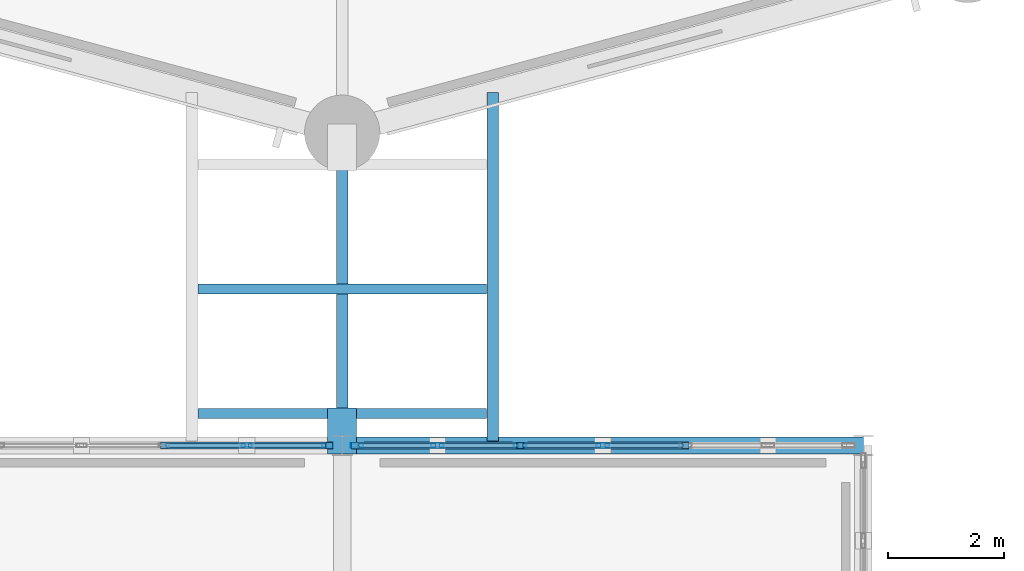
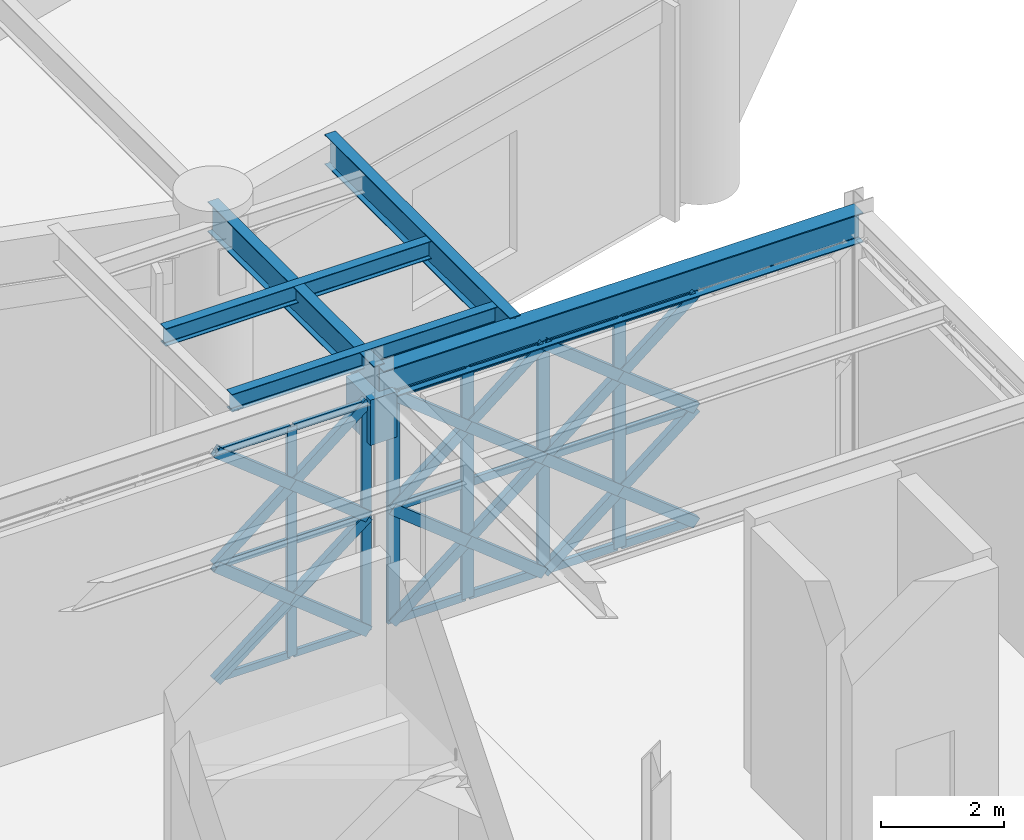
# One storey, part 40 of 166: 42 members, 6 beams, 2 elements without a shape of their own.
"""IFC4 building model written with IfcOpenShell, lengths in metres."""

from ifc_helpers import new_model, si_unit, direction, frame, origin, origin_2d, place, context, subcontext, project, spatial, rectangle, hollow_rectangle, i_section, extrude, material, material_profile, profile_set, type_object, element, aggregate, save


model = new_model("IFC4")

# Units and contexts
model_context = context("Model", 3, precision=1e-05, world=origin(), true_north=direction((0.0, 1.0)))
body_context = subcontext(model_context, "Body", "Model", "MODEL_VIEW")
ifc_project = project(units=[si_unit("LENGTHUNIT", "METRE"), si_unit("AREAUNIT", "SQUARE_METRE"), si_unit("VOLUMEUNIT", "CUBIC_METRE"), si_unit("PLANEANGLEUNIT", "RADIAN"), si_unit("MASSUNIT", "GRAM", prefix="KILO")], contexts=[model_context])

# Site, building, storey
site_placement = place(None, origin())
site = spatial("IfcSite", under=ifc_project, at=site_placement, CompositionType="ELEMENT")
building_placement = place(site_placement, origin())
building = spatial("IfcBuilding", under=site, at=building_placement, Name="Haizhuo Lancet Aquarium", CompositionType="ELEMENT")
storey_placement = place(building_placement, frame((0.0, 0.0, 5.39990234375)))
storey = spatial("IfcBuildingStorey", under=building, at=storey_placement, Name="L01", CompositionType="ELEMENT", Elevation=5.39990234375)

# Beams
ifc_material_1 = material(Name="Concrete C40/50", Category="concrete")
ifc_material_profile_1 = material_profile(ifc_material_1, rectangle(XDim=0.5, YDim=0.89990234375, at=origin_2d()), Name="RC-BM 500x900")
ifc_profile_set_1 = profile_set([ifc_material_profile_1], Name="Concrete C40/50")
beam_type_1 = type_object("IfcBeamType", Name="BM-RC-500x900", PredefinedType="BEAM", material=ifc_profile_set_1)
beam_1_placement = place(storey_placement, frame((0.0, -27.14990234375, 4.205078125), z_axis=(0.0, 1.0, 0.0), x_axis=(-1.0, 0.0, 0.0)))
element("IfcBeam", 1, at=beam_1_placement, inside=storey, type_object=beam_type_1, Name="Reinforced concrete bridge bearing corbel SB-04 1S", PredefinedType="BEAM", context=body_context, shape_type="SweptSolid", body=[
    extrude(rectangle(XDim=0.5, YDim=0.89990234375, at=origin_2d()), origin(), (0.0, 0.0, 1.0), 0.7998046875),
])
ifc_material_2 = material(Name="Steel S355", Category="steel")
ifc_material_profile_2 = material_profile(ifc_material_2, i_section(OverallWidth=0.300048828125, OverallDepth=0.587890625, WebThickness=0.011962890625, FlangeThickness=0.02001953125, FilletRadius=0.02587890625, at=origin_2d()), Name="HM 588x300x12x20")
ifc_profile_set_2 = profile_set([ifc_material_profile_2], Name="Steel S355")
beam_type_2 = type_object("IfcBeamType", Name="BM-ST-HM588", PredefinedType="BEAM", material=ifc_profile_set_2)
beam_2_placement = place(storey_placement, frame((0.0, -27.0, 4.84619140625), z_axis=(1.0, 0.0, 0.0), x_axis=(0.0, 1.0, 0.0)))
element("IfcBeam", 2, at=beam_2_placement, inside=storey, type_object=beam_type_2, Name="L01 V4 primary girder BM-L01-V4-019", PredefinedType="BEAM", context=body_context, shape_type="SweptSolid", body=[
    extrude(i_section(OverallWidth=0.300048828125, OverallDepth=0.587890625, WebThickness=0.011962890625, FlangeThickness=0.02001953125, FilletRadius=0.02587890625, at=origin_2d()), origin(), (0.0, 0.0, 1.0), 9.0),
])
ifc_material_profile_3 = material_profile(ifc_material_2, i_section(OverallWidth=0.199951171875, OverallDepth=0.60009765625, WebThickness=0.010986328125, FlangeThickness=0.01708984375, FilletRadius=0.02197265625, at=origin_2d()), Name="HN 600x200x11x17")
ifc_profile_set_3 = profile_set([ifc_material_profile_3], Name="Steel S355")
beam_type_3 = type_object("IfcBeamType", Name="BM-ST-HN600", PredefinedType="BEAM", material=ifc_profile_set_3)
beam_3_placement = place(storey_placement, frame((0.0, -27.0, 4.880126953125), z_axis=(0.0, 1.0, 0.0), x_axis=(-1.0, 0.0, 0.0)))
element("IfcBeam", 3, at=beam_3_placement, inside=storey, type_object=beam_type_3, Name="Glazed bridge longitudinal girder SB-04 1", PredefinedType="BEAM", context=body_context, shape_type="SweptSolid", body=[
    extrude(i_section(OverallWidth=0.199951171875, OverallDepth=0.60009765625, WebThickness=0.010986328125, FlangeThickness=0.01708984375, FilletRadius=0.02197265625, at=origin_2d()), origin(), (0.0, 0.0, 1.0), 5.39990234375),
])
beam_4_placement = place(storey_placement, frame((2.60009765625, -26.919921875, 4.880126953125), z_axis=(0.0, 1.0, 0.0), x_axis=(-1.0, 0.0, 0.0)))
element("IfcBeam", 4, at=beam_4_placement, inside=storey, type_object=beam_type_3, Name="Glazed bridge edge girder SB-04 E", PredefinedType="BEAM", context=body_context, shape_type="SweptSolid", body=[
    extrude(i_section(OverallWidth=0.199951171875, OverallDepth=0.60009765625, WebThickness=0.010986328125, FlangeThickness=0.01708984375, FilletRadius=0.02197265625, at=origin_2d()), origin(), (0.0, 0.0, 1.0), 6.016845703125),
])

# Curtain wall, members
ifc_material_3 = material(Name="Aluminium 6063-T6", Category="aluminium")
curtain_wall_type = type_object("IfcCurtainWallType", Name="CWO-8560x4550", PredefinedType="NOTDEFINED", material=ifc_material_3)
curtain_wall_1_placement = place(storey_placement, origin())
curtain_wall_1 = element("IfcCurtainWall", 5, at=curtain_wall_1_placement, inside=storey, type_object=curtain_wall_type, Name="L01 curtain wall CW-V4-L01-091", PredefinedType="NOTDEFINED")
ifc_material_profile_4 = material_profile(ifc_material_3, hollow_rectangle(XDim=0.06494140625, YDim=0.179931640625, WallThickness=0.00390625, at=origin_2d()), Name="ALU-M 65x180x4")
ifc_profile_set_4 = profile_set([ifc_material_profile_4], Name="Aluminium 6063-T6")
member_type_1 = type_object("IfcMemberType", Name="CW-MUL-1", PredefinedType="MULLION", material=ifc_profile_set_4)
member_1_placement = place(storey_placement, frame((-1.64697265625, -27.0, 0.0), z_axis=(0.0, 0.0, 1.0), x_axis=(0.0, 1.0, 0.0)))
member_1 = element("IfcMember", 6, at=member_1_placement, type_object=member_type_1, Name="CWO-85x45 mullion 6", PredefinedType="MULLION", context=body_context, shape_type="SweptSolid", body=[
    extrude(hollow_rectangle(XDim=0.06494140625, YDim=0.179931640625, WallThickness=0.00390625, at=origin_2d()), origin(), (0.0, 0.0, 1.0), 4.552001953125),
])
member_2_placement = place(storey_placement, frame((-0.2529296875, -27.0, 0.0), z_axis=(0.0, 0.0, 1.0), x_axis=(0.0, 1.0, 0.0)))
member_2 = element("IfcMember", 7, at=member_2_placement, type_object=member_type_1, Name="CWO-85x45 mullion 7", PredefinedType="MULLION", context=body_context, shape_type="SweptSolid", body=[
    extrude(hollow_rectangle(XDim=0.06494140625, YDim=0.179931640625, WallThickness=0.00390625, at=origin_2d()), origin(), (0.0, 0.0, 1.0), 4.552001953125),
])

curtain_wall_2_placement = place(storey_placement, origin())
curtain_wall_2 = element("IfcCurtainWall", 8, at=curtain_wall_2_placement, inside=storey, type_object=curtain_wall_type, Name="L01 curtain wall CW-V4-L01-092", PredefinedType="NOTDEFINED")
ifc_material_profile_5 = material_profile(ifc_material_3, hollow_rectangle(XDim=0.074951171875, YDim=0.219970703125, WallThickness=0.0048828125, at=origin_2d()), Name="ALU-M 75x220x5")
ifc_profile_set_5 = profile_set([ifc_material_profile_5], Name="Aluminium 6063-T6")
member_type_2 = type_object("IfcMemberType", Name="CW-MUL-2", PredefinedType="MULLION", material=ifc_profile_set_5)
member_3_placement = place(storey_placement, frame((0.258056640625, -27.0, 0.0), z_axis=(0.0, 0.0, 1.0), x_axis=(0.0, 1.0, 0.0)))
member_3 = element("IfcMember", 9, at=member_3_placement, type_object=member_type_2, Name="CWO-85x45 mullion 1", PredefinedType="MULLION", context=body_context, shape_type="SweptSolid", body=[
    extrude(hollow_rectangle(XDim=0.074951171875, YDim=0.219970703125, WallThickness=0.0048828125, at=origin_2d()), origin(), (0.0, 0.0, 1.0), 4.552001953125),
])
member_4_placement = place(storey_placement, frame((1.64697265625, -27.0, 0.0), z_axis=(0.0, 0.0, 1.0), x_axis=(0.0, 1.0, 0.0)))
member_4 = element("IfcMember", 10, at=member_4_placement, type_object=member_type_2, Name="CWO-85x45 mullion 2", PredefinedType="MULLION", context=body_context, shape_type="SweptSolid", body=[
    extrude(hollow_rectangle(XDim=0.074951171875, YDim=0.219970703125, WallThickness=0.0048828125, at=origin_2d()), origin(), (0.0, 0.0, 1.0), 4.552001953125),
])
member_5_placement = place(storey_placement, frame((3.072998046875, -27.0, 0.0), z_axis=(0.0, 0.0, 1.0), x_axis=(0.0, 1.0, 0.0)))
member_5 = element("IfcMember", 11, at=member_5_placement, type_object=member_type_2, Name="CWO-85x45 mullion 3", PredefinedType="MULLION", context=body_context, shape_type="SweptSolid", body=[
    extrude(hollow_rectangle(XDim=0.074951171875, YDim=0.219970703125, WallThickness=0.0048828125, at=origin_2d()), origin(), (0.0, 0.0, 1.0), 4.552001953125),
])
member_6_placement = place(storey_placement, frame((4.5, -27.0, 0.0), z_axis=(0.0, 0.0, 1.0), x_axis=(0.0, 1.0, 0.0)))
member_6 = element("IfcMember", 12, at=member_6_placement, type_object=member_type_2, Name="CWO-85x45 mullion 4", PredefinedType="MULLION", context=body_context, shape_type="SweptSolid", body=[
    extrude(hollow_rectangle(XDim=0.074951171875, YDim=0.219970703125, WallThickness=0.0048828125, at=origin_2d()), origin(), (0.0, 0.0, 1.0), 4.552001953125),
])

# Member
ifc_material_profile_6 = material_profile(ifc_material_3, hollow_rectangle(XDim=0.06494140625, YDim=0.139892578125, WallThickness=0.00390625, at=origin_2d()), Name="ALU-T 65x140x4")
ifc_profile_set_6 = profile_set([ifc_material_profile_6], Name="Aluminium 6063-T6")
member_type_3 = type_object("IfcMemberType", Name="CW-TRN-1", PredefinedType="NOTDEFINED", material=ifc_profile_set_6)
member_7_placement = place(storey_placement, frame((-3.041015625, -27.0, 0.033203125), z_axis=(1.0, 0.0, 0.0), x_axis=(0.0, 1.0, 0.0)))
member_7 = element("IfcMember", 13, at=member_7_placement, type_object=member_type_3, Name="CWO-85x45 transom 5.1", ObjectType="TRANSOM", PredefinedType="USERDEFINED", context=body_context, shape_type="SweptSolid", body=[
    extrude(hollow_rectangle(XDim=0.06494140625, YDim=0.139892578125, WallThickness=0.00390625, at=origin_2d()), origin(), (0.0, 0.0, 1.0), 1.362060546875),
])

member_8_placement = place(storey_placement, frame((-3.041015625, -27.0, 2.276123046875), z_axis=(1.0, 0.0, 0.0), x_axis=(0.0, 1.0, 0.0)))
member_8 = element("IfcMember", 14, at=member_8_placement, type_object=member_type_3, Name="CWO-85x45 transom 5.2", ObjectType="TRANSOM", PredefinedType="USERDEFINED", context=body_context, shape_type="SweptSolid", body=[
    extrude(hollow_rectangle(XDim=0.06494140625, YDim=0.139892578125, WallThickness=0.00390625, at=origin_2d()), origin(), (0.0, 0.0, 1.0), 1.362060546875),
])

member_9_placement = place(storey_placement, frame((-3.041015625, -27.0, 4.51904296875), z_axis=(1.0, 0.0, 0.0), x_axis=(0.0, 1.0, 0.0)))
member_9 = element("IfcMember", 15, at=member_9_placement, type_object=member_type_3, Name="CWO-85x45 transom 5.3", ObjectType="TRANSOM", PredefinedType="USERDEFINED", context=body_context, shape_type="SweptSolid", body=[
    extrude(hollow_rectangle(XDim=0.06494140625, YDim=0.139892578125, WallThickness=0.00390625, at=origin_2d()), origin(), (0.0, 0.0, 1.0), 1.362060546875),
])

member_10_placement = place(storey_placement, frame((-1.614013671875, -27.0, 0.033203125), z_axis=(1.0, 0.0, 0.0), x_axis=(0.0, 1.0, 0.0)))
member_10 = element("IfcMember", 16, at=member_10_placement, type_object=member_type_3, Name="CWO-85x45 transom 6.1", ObjectType="TRANSOM", PredefinedType="USERDEFINED", context=body_context, shape_type="SweptSolid", body=[
    extrude(hollow_rectangle(XDim=0.06494140625, YDim=0.139892578125, WallThickness=0.00390625, at=origin_2d()), origin(), (0.0, 0.0, 1.0), 1.3291015625),
])

member_11_placement = place(storey_placement, frame((-1.614013671875, -27.0, 2.276123046875), z_axis=(1.0, 0.0, 0.0), x_axis=(0.0, 1.0, 0.0)))
member_11 = element("IfcMember", 17, at=member_11_placement, type_object=member_type_3, Name="CWO-85x45 transom 6.2", ObjectType="TRANSOM", PredefinedType="USERDEFINED", context=body_context, shape_type="SweptSolid", body=[
    extrude(hollow_rectangle(XDim=0.06494140625, YDim=0.139892578125, WallThickness=0.00390625, at=origin_2d()), origin(), (0.0, 0.0, 1.0), 1.3291015625),
])

member_12_placement = place(storey_placement, frame((-1.614013671875, -27.0, 4.51904296875), z_axis=(1.0, 0.0, 0.0), x_axis=(0.0, 1.0, 0.0)))
member_12 = element("IfcMember", 18, at=member_12_placement, type_object=member_type_3, Name="CWO-85x45 transom 6.3", ObjectType="TRANSOM", PredefinedType="USERDEFINED", context=body_context, shape_type="SweptSolid", body=[
    extrude(hollow_rectangle(XDim=0.06494140625, YDim=0.139892578125, WallThickness=0.00390625, at=origin_2d()), origin(), (0.0, 0.0, 1.0), 1.3291015625),
])

aggregate(curtain_wall_1, [member_1, member_2, member_7, member_8, member_9, member_10, member_11, member_12])

ifc_material_profile_7 = material_profile(ifc_material_3, hollow_rectangle(XDim=0.074951171875, YDim=0.159912109375, WallThickness=0.00390625, at=origin_2d()), Name="ALU-T 75x160x4")
ifc_profile_set_7 = profile_set([ifc_material_profile_7], Name="Aluminium 6063-T6")
member_type_4 = type_object("IfcMemberType", Name="CW-TRN-2", PredefinedType="NOTDEFINED", material=ifc_profile_set_7)
member_13_placement = place(storey_placement, frame((0.294921875, -27.0, 0.0380859375), z_axis=(1.0, 0.0, 0.0), x_axis=(0.0, 1.0, 0.0)))
member_13 = element("IfcMember", 19, at=member_13_placement, type_object=member_type_4, Name="CWO-85x45 transom 1.1", ObjectType="TRANSOM", PredefinedType="USERDEFINED", context=body_context, shape_type="SweptSolid", body=[
    extrude(hollow_rectangle(XDim=0.074951171875, YDim=0.159912109375, WallThickness=0.00390625, at=origin_2d()), origin(), (0.0, 0.0, 1.0), 1.31396484375),
])

member_14_placement = place(storey_placement, frame((0.294921875, -27.0, 2.276123046875), z_axis=(1.0, 0.0, 0.0), x_axis=(0.0, 1.0, 0.0)))
member_14 = element("IfcMember", 20, at=member_14_placement, type_object=member_type_4, Name="CWO-85x45 transom 1.2", ObjectType="TRANSOM", PredefinedType="USERDEFINED", context=body_context, shape_type="SweptSolid", body=[
    extrude(hollow_rectangle(XDim=0.074951171875, YDim=0.159912109375, WallThickness=0.00390625, at=origin_2d()), origin(), (0.0, 0.0, 1.0), 1.31396484375),
])

member_15_placement = place(storey_placement, frame((0.294921875, -27.0, 4.51513671875), z_axis=(1.0, 0.0, 0.0), x_axis=(0.0, 1.0, 0.0)))
member_15 = element("IfcMember", 21, at=member_15_placement, type_object=member_type_4, Name="CWO-85x45 transom 1.3", ObjectType="TRANSOM", PredefinedType="USERDEFINED", context=body_context, shape_type="SweptSolid", body=[
    extrude(hollow_rectangle(XDim=0.074951171875, YDim=0.159912109375, WallThickness=0.00390625, at=origin_2d()), origin(), (0.0, 0.0, 1.0), 1.31396484375),
])

member_16_placement = place(storey_placement, frame((1.68408203125, -27.0, 0.0380859375), z_axis=(1.0, 0.0, 0.0), x_axis=(0.0, 1.0, 0.0)))
member_16 = element("IfcMember", 22, at=member_16_placement, type_object=member_type_4, Name="CWO-85x45 transom 2.1", ObjectType="TRANSOM", PredefinedType="USERDEFINED", context=body_context, shape_type="SweptSolid", body=[
    extrude(hollow_rectangle(XDim=0.074951171875, YDim=0.159912109375, WallThickness=0.00390625, at=origin_2d()), origin(), (0.0, 0.0, 1.0), 1.351806640625),
])

member_17_placement = place(storey_placement, frame((1.68408203125, -27.0, 2.276123046875), z_axis=(1.0, 0.0, 0.0), x_axis=(0.0, 1.0, 0.0)))
member_17 = element("IfcMember", 23, at=member_17_placement, type_object=member_type_4, Name="CWO-85x45 transom 2.2", ObjectType="TRANSOM", PredefinedType="USERDEFINED", context=body_context, shape_type="SweptSolid", body=[
    extrude(hollow_rectangle(XDim=0.074951171875, YDim=0.159912109375, WallThickness=0.00390625, at=origin_2d()), origin(), (0.0, 0.0, 1.0), 1.351806640625),
])

member_18_placement = place(storey_placement, frame((1.68408203125, -27.0, 4.51513671875), z_axis=(1.0, 0.0, 0.0), x_axis=(0.0, 1.0, 0.0)))
member_18 = element("IfcMember", 24, at=member_18_placement, type_object=member_type_4, Name="CWO-85x45 transom 2.3", ObjectType="TRANSOM", PredefinedType="USERDEFINED", context=body_context, shape_type="SweptSolid", body=[
    extrude(hollow_rectangle(XDim=0.074951171875, YDim=0.159912109375, WallThickness=0.00390625, at=origin_2d()), origin(), (0.0, 0.0, 1.0), 1.351806640625),
])

member_19_placement = place(storey_placement, frame((3.111083984375, -27.0, 0.0380859375), z_axis=(1.0, 0.0, 0.0), x_axis=(0.0, 1.0, 0.0)))
member_19 = element("IfcMember", 25, at=member_19_placement, type_object=member_type_4, Name="CWO-85x45 transom 3.1", ObjectType="TRANSOM", PredefinedType="USERDEFINED", context=body_context, shape_type="SweptSolid", body=[
    extrude(hollow_rectangle(XDim=0.074951171875, YDim=0.159912109375, WallThickness=0.00390625, at=origin_2d()), origin(), (0.0, 0.0, 1.0), 1.350830078125),
])

member_20_placement = place(storey_placement, frame((3.111083984375, -27.0, 2.276123046875), z_axis=(1.0, 0.0, 0.0), x_axis=(0.0, 1.0, 0.0)))
member_20 = element("IfcMember", 26, at=member_20_placement, type_object=member_type_4, Name="CWO-85x45 transom 3.2", ObjectType="TRANSOM", PredefinedType="USERDEFINED", context=body_context, shape_type="SweptSolid", body=[
    extrude(hollow_rectangle(XDim=0.074951171875, YDim=0.159912109375, WallThickness=0.00390625, at=origin_2d()), origin(), (0.0, 0.0, 1.0), 1.350830078125),
])

member_21_placement = place(storey_placement, frame((3.111083984375, -27.0, 4.51513671875), z_axis=(1.0, 0.0, 0.0), x_axis=(0.0, 1.0, 0.0)))
member_21 = element("IfcMember", 27, at=member_21_placement, type_object=member_type_4, Name="CWO-85x45 transom 3.3", ObjectType="TRANSOM", PredefinedType="USERDEFINED", context=body_context, shape_type="SweptSolid", body=[
    extrude(hollow_rectangle(XDim=0.074951171875, YDim=0.159912109375, WallThickness=0.00390625, at=origin_2d()), origin(), (0.0, 0.0, 1.0), 1.350830078125),
])

member_22_placement = place(storey_placement, frame((4.537109375, -27.0, 0.0380859375), z_axis=(1.0, 0.0, 0.0), x_axis=(0.0, 1.0, 0.0)))
member_22 = element("IfcMember", 28, at=member_22_placement, type_object=member_type_4, Name="CWO-85x45 transom 4.1", ObjectType="TRANSOM", PredefinedType="USERDEFINED", context=body_context, shape_type="SweptSolid", body=[
    extrude(hollow_rectangle(XDim=0.074951171875, YDim=0.159912109375, WallThickness=0.00390625, at=origin_2d()), origin(), (0.0, 0.0, 1.0), 1.351806640625),
])

member_23_placement = place(storey_placement, frame((4.537109375, -27.0, 2.276123046875), z_axis=(1.0, 0.0, 0.0), x_axis=(0.0, 1.0, 0.0)))
member_23 = element("IfcMember", 29, at=member_23_placement, type_object=member_type_4, Name="CWO-85x45 transom 4.2", ObjectType="TRANSOM", PredefinedType="USERDEFINED", context=body_context, shape_type="SweptSolid", body=[
    extrude(hollow_rectangle(XDim=0.074951171875, YDim=0.159912109375, WallThickness=0.00390625, at=origin_2d()), origin(), (0.0, 0.0, 1.0), 1.351806640625),
])

member_24_placement = place(storey_placement, frame((4.537109375, -27.0, 4.51513671875), z_axis=(1.0, 0.0, 0.0), x_axis=(0.0, 1.0, 0.0)))
member_24 = element("IfcMember", 30, at=member_24_placement, type_object=member_type_4, Name="CWO-85x45 transom 4.3", ObjectType="TRANSOM", PredefinedType="USERDEFINED", context=body_context, shape_type="SweptSolid", body=[
    extrude(hollow_rectangle(XDim=0.074951171875, YDim=0.159912109375, WallThickness=0.00390625, at=origin_2d()), origin(), (0.0, 0.0, 1.0), 1.351806640625),
])

aggregate(curtain_wall_2, [member_3, member_4, member_5, member_6, member_13, member_14, member_15, member_16, member_17, member_18, member_19, member_20, member_21, member_22, member_23, member_24])

# Beams
ifc_material_profile_8 = material_profile(ifc_material_2, i_section(OverallWidth=0.175048828125, OverallDepth=0.35009765625, WebThickness=0.007080078125, FlangeThickness=0.010986328125, FilletRadius=0.013916015625, at=origin_2d()), Name="HN 350x175x7x11")
ifc_profile_set_8 = profile_set([ifc_material_profile_8], Name="Steel S355")
beam_type_4 = type_object("IfcBeamType", Name="JST-ST-HN350", PredefinedType="JOIST", material=ifc_profile_set_8)
for number, where, z_axis, x_axis, name in (
    (31, (-2.489990234375, -26.449951171875, 5.005126953125), (1.0, 0.0, 0.0), (0.0, 1.0, 0.0), "Glazed bridge floor cross joist SB-04 S"),
    (32, (-2.489990234375, -24.300048828125, 5.005126953125), (1.0, 0.0, 0.0), (0.0, 1.0, 0.0), "Glazed bridge floor cross joist SB-04 M"),
):
    element("IfcBeam", number, at=place(storey_placement, frame(where, z_axis=z_axis, x_axis=x_axis)), inside=storey, type_object=beam_type_4, Name=name, PredefinedType="JOIST", context=body_context, shape_type="SweptSolid", body=[
        extrude(i_section(OverallWidth=0.175048828125, OverallDepth=0.35009765625, WebThickness=0.007080078125, FlangeThickness=0.010986328125, FilletRadius=0.013916015625, at=origin_2d()), origin(), (0.0, 0.0, 1.0), 4.97998046875),
    ])

# Members
ifc_material_profile_9 = material_profile(ifc_material_2, hollow_rectangle(XDim=0.1201171875, YDim=0.199951171875, WallThickness=0.008056640625, at=origin_2d()), Name="RHS 120x200x8")
ifc_profile_set_9 = profile_set([ifc_material_profile_9], Name="Steel S355")
member_type_5 = type_object("IfcMemberType", Name="MEM-LB-RHS120x200", PredefinedType="BRACE", material=ifc_profile_set_9)
member_25_placement = place(storey_placement, frame((-3.072998046875, -27.0, 0.0), z_axis=(0.781709971476, 0.0, 0.623642141372), x_axis=(0.0, 1.0, 0.0)))
element("IfcMember", 33, at=member_25_placement, inside=storey, type_object=member_type_5, Name="Gothic lancet continuous diagonal brace CW-V4-L01-091 5A", PredefinedType="BRACE", context=body_context, shape_type="SweptSolid", body=[
    extrude(hollow_rectangle(XDim=0.1201171875, YDim=0.199951171875, WallThickness=0.008056640625, at=origin_2d()), origin(), (0.0, 0.0, 1.0), 3.649658203125),
])
member_26_placement = place(storey_placement, frame((-0.219970703125, -27.0, 0.0), z_axis=(-0.781781404101, 0.0, 0.623552592972), x_axis=(0.0, -1.0, 0.0)))
element("IfcMember", 34, at=member_26_placement, inside=storey, type_object=member_type_5, Name="Gothic lancet split diagonal brace CW-V4-L01-091 5B1", PredefinedType="BRACE", context=body_context, shape_type="SweptSolid", body=[
    extrude(hollow_rectangle(XDim=0.1201171875, YDim=0.199951171875, WallThickness=0.008056640625, at=origin_2d()), origin(), (0.0, 0.0, 1.0), 1.825439453125),
])
member_27_placement = place(storey_placement, frame((-1.64697265625, -27.0, 1.13818359375), z_axis=(-0.781638492735, 0.0, 0.623731726526), x_axis=(0.0, -1.0, 0.0)))
element("IfcMember", 35, at=member_27_placement, inside=storey, type_object=member_type_5, Name="Gothic lancet split diagonal brace CW-V4-L01-091 5B2", PredefinedType="BRACE", context=body_context, shape_type="SweptSolid", body=[
    extrude(hollow_rectangle(XDim=0.1201171875, YDim=0.199951171875, WallThickness=0.008056640625, at=origin_2d()), origin(), (0.0, 0.0, 1.0), 1.824462890625),
])
member_28_placement = place(storey_placement, frame((-3.072998046875, -27.0, 2.276123046875), z_axis=(0.781742582524, 0.0, 0.623601262561), x_axis=(0.0, 1.0, 0.0)))
element("IfcMember", 36, at=member_28_placement, inside=storey, type_object=member_type_5, Name="Gothic lancet continuous diagonal brace CW-V4-L01-091 6A", PredefinedType="BRACE", context=body_context, shape_type="SweptSolid", body=[
    extrude(hollow_rectangle(XDim=0.1201171875, YDim=0.199951171875, WallThickness=0.008056640625, at=origin_2d()), origin(), (0.0, 0.0, 1.0), 3.649658203125),
])
member_29_placement = place(storey_placement, frame((-0.219970703125, -27.0, 2.276123046875), z_axis=(-0.781846607014, 0.0, 0.623470835807), x_axis=(0.0, -1.0, 0.0)))
element("IfcMember", 37, at=member_29_placement, inside=storey, type_object=member_type_5, Name="Gothic lancet split diagonal brace CW-V4-L01-091 6B1", PredefinedType="BRACE", context=body_context, shape_type="SweptSolid", body=[
    extrude(hollow_rectangle(XDim=0.1201171875, YDim=0.199951171875, WallThickness=0.008056640625, at=origin_2d()), origin(), (0.0, 0.0, 1.0), 1.8251953125),
])
member_30_placement = place(storey_placement, frame((-1.64697265625, -27.0, 3.4140625), z_axis=(-0.781638492735, 0.0, 0.623731726526), x_axis=(0.0, -1.0, 0.0)))
element("IfcMember", 38, at=member_30_placement, inside=storey, type_object=member_type_5, Name="Gothic lancet split diagonal brace CW-V4-L01-091 6B2", PredefinedType="BRACE", context=body_context, shape_type="SweptSolid", body=[
    extrude(hollow_rectangle(XDim=0.1201171875, YDim=0.199951171875, WallThickness=0.008056640625, at=origin_2d()), origin(), (0.0, 0.0, 1.0), 1.824462890625),
])
member_31_placement = place(storey_placement, frame((0.219970703125, -27.0, 0.0), z_axis=(0.781709971476, 0.0, 0.623642141372), x_axis=(0.0, 1.0, 0.0)))
element("IfcMember", 39, at=member_31_placement, inside=storey, type_object=member_type_5, Name="Gothic lancet continuous diagonal brace CW-V4-L01-092 1A", PredefinedType="BRACE", context=body_context, shape_type="SweptSolid", body=[
    extrude(hollow_rectangle(XDim=0.1201171875, YDim=0.199951171875, WallThickness=0.008056640625, at=origin_2d()), origin(), (0.0, 0.0, 1.0), 3.649658203125),
])
member_32_placement = place(storey_placement, frame((3.072998046875, -27.0, 0.0), z_axis=(-0.78157325262, 0.0, 0.623813474356), x_axis=(0.0, -1.0, 0.0)))
element("IfcMember", 40, at=member_32_placement, inside=storey, type_object=member_type_5, Name="Gothic lancet split diagonal brace CW-V4-L01-092 1B1", PredefinedType="BRACE", context=body_context, shape_type="SweptSolid", body=[
    extrude(hollow_rectangle(XDim=0.1201171875, YDim=0.199951171875, WallThickness=0.008056640625, at=origin_2d()), origin(), (0.0, 0.0, 1.0), 1.824462890625),
])
member_33_placement = place(storey_placement, frame((1.64697265625, -27.0, 1.13818359375), z_axis=(-0.781846607014, 0.0, 0.623470835807), x_axis=(0.0, -1.0, 0.0)))
element("IfcMember", 41, at=member_33_placement, inside=storey, type_object=member_type_5, Name="Gothic lancet split diagonal brace CW-V4-L01-092 1B2", PredefinedType="BRACE", context=body_context, shape_type="SweptSolid", body=[
    extrude(hollow_rectangle(XDim=0.1201171875, YDim=0.199951171875, WallThickness=0.008056640625, at=origin_2d()), origin(), (0.0, 0.0, 1.0), 1.8251953125),
])
member_34_placement = place(storey_placement, frame((0.219970703125, -27.0, 2.276123046875), z_axis=(0.781742582524, 0.0, 0.623601262561), x_axis=(0.0, 1.0, 0.0)))
element("IfcMember", 42, at=member_34_placement, inside=storey, type_object=member_type_5, Name="Gothic lancet continuous diagonal brace CW-V4-L01-092 2A", PredefinedType="BRACE", context=body_context, shape_type="SweptSolid", body=[
    extrude(hollow_rectangle(XDim=0.1201171875, YDim=0.199951171875, WallThickness=0.008056640625, at=origin_2d()), origin(), (0.0, 0.0, 1.0), 3.649658203125),
])
member_35_placement = place(storey_placement, frame((3.072998046875, -27.0, 2.276123046875), z_axis=(-0.781638492735, 0.0, 0.623731726526), x_axis=(0.0, -1.0, 0.0)))
element("IfcMember", 43, at=member_35_placement, inside=storey, type_object=member_type_5, Name="Gothic lancet split diagonal brace CW-V4-L01-092 2B1", PredefinedType="BRACE", context=body_context, shape_type="SweptSolid", body=[
    extrude(hollow_rectangle(XDim=0.1201171875, YDim=0.199951171875, WallThickness=0.008056640625, at=origin_2d()), origin(), (0.0, 0.0, 1.0), 1.824462890625),
])
member_36_placement = place(storey_placement, frame((1.64697265625, -27.0, 3.4140625), z_axis=(-0.781846607014, 0.0, 0.623470835807), x_axis=(0.0, -1.0, 0.0)))
element("IfcMember", 44, at=member_36_placement, inside=storey, type_object=member_type_5, Name="Gothic lancet split diagonal brace CW-V4-L01-092 2B2", PredefinedType="BRACE", context=body_context, shape_type="SweptSolid", body=[
    extrude(hollow_rectangle(XDim=0.1201171875, YDim=0.199951171875, WallThickness=0.008056640625, at=origin_2d()), origin(), (0.0, 0.0, 1.0), 1.8251953125),
])
member_37_placement = place(storey_placement, frame((3.072998046875, -27.0, 0.0), z_axis=(0.781814005267, 0.0, 0.623511716946), x_axis=(0.0, 1.0, 0.0)))
element("IfcMember", 45, at=member_37_placement, inside=storey, type_object=member_type_5, Name="Gothic lancet continuous diagonal brace CW-V4-L01-092 3A", PredefinedType="BRACE", context=body_context, shape_type="SweptSolid", body=[
    extrude(hollow_rectangle(XDim=0.1201171875, YDim=0.199951171875, WallThickness=0.008056640625, at=origin_2d()), origin(), (0.0, 0.0, 1.0), 3.650390625),
])
member_38_placement = place(storey_placement, frame((5.927001953125, -27.0, 0.0), z_axis=(-0.781781404101, 0.0, 0.623552592972), x_axis=(0.0, -1.0, 0.0)))
element("IfcMember", 46, at=member_38_placement, inside=storey, type_object=member_type_5, Name="Gothic lancet split diagonal brace CW-V4-L01-092 3B1", PredefinedType="BRACE", context=body_context, shape_type="SweptSolid", body=[
    extrude(hollow_rectangle(XDim=0.1201171875, YDim=0.199951171875, WallThickness=0.008056640625, at=origin_2d()), origin(), (0.0, 0.0, 1.0), 1.825439453125),
])
member_39_placement = place(storey_placement, frame((4.5, -27.0, 1.13818359375), z_axis=(-0.781846607014, 0.0, 0.623470835807), x_axis=(0.0, -1.0, 0.0)))
element("IfcMember", 47, at=member_39_placement, inside=storey, type_object=member_type_5, Name="Gothic lancet split diagonal brace CW-V4-L01-092 3B2", PredefinedType="BRACE", context=body_context, shape_type="SweptSolid", body=[
    extrude(hollow_rectangle(XDim=0.1201171875, YDim=0.199951171875, WallThickness=0.008056640625, at=origin_2d()), origin(), (0.0, 0.0, 1.0), 1.8251953125),
])
member_40_placement = place(storey_placement, frame((3.072998046875, -27.0, 2.276123046875), z_axis=(0.781846607014, 0.0, 0.623470835807), x_axis=(0.0, 1.0, 0.0)))
element("IfcMember", 48, at=member_40_placement, inside=storey, type_object=member_type_5, Name="Gothic lancet continuous diagonal brace CW-V4-L01-092 4A", PredefinedType="BRACE", context=body_context, shape_type="SweptSolid", body=[
    extrude(hollow_rectangle(XDim=0.1201171875, YDim=0.199951171875, WallThickness=0.008056640625, at=origin_2d()), origin(), (0.0, 0.0, 1.0), 3.650390625),
])
for number, where, z_axis, x_axis, name in (
    (49, (5.927001953125, -27.0, 2.276123046875), (-0.781846607014, 0.0, 0.623470835807), (0.0, -1.0, 0.0), "Gothic lancet split diagonal brace CW-V4-L01-092 4B1"),
    (50, (4.5, -27.0, 3.4140625), (-0.781846607014, 0.0, 0.623470835807), (0.0, -1.0, 0.0), "Gothic lancet split diagonal brace CW-V4-L01-092 4B2"),
):
    element("IfcMember", number, at=place(storey_placement, frame(where, z_axis=z_axis, x_axis=x_axis)), inside=storey, type_object=member_type_5, Name=name, PredefinedType="BRACE", context=body_context, shape_type="SweptSolid", body=[
        extrude(hollow_rectangle(XDim=0.1201171875, YDim=0.199951171875, WallThickness=0.008056640625, at=origin_2d()), origin(), (0.0, 0.0, 1.0), 1.8251953125),
    ])

save(model, "model.ifc")
